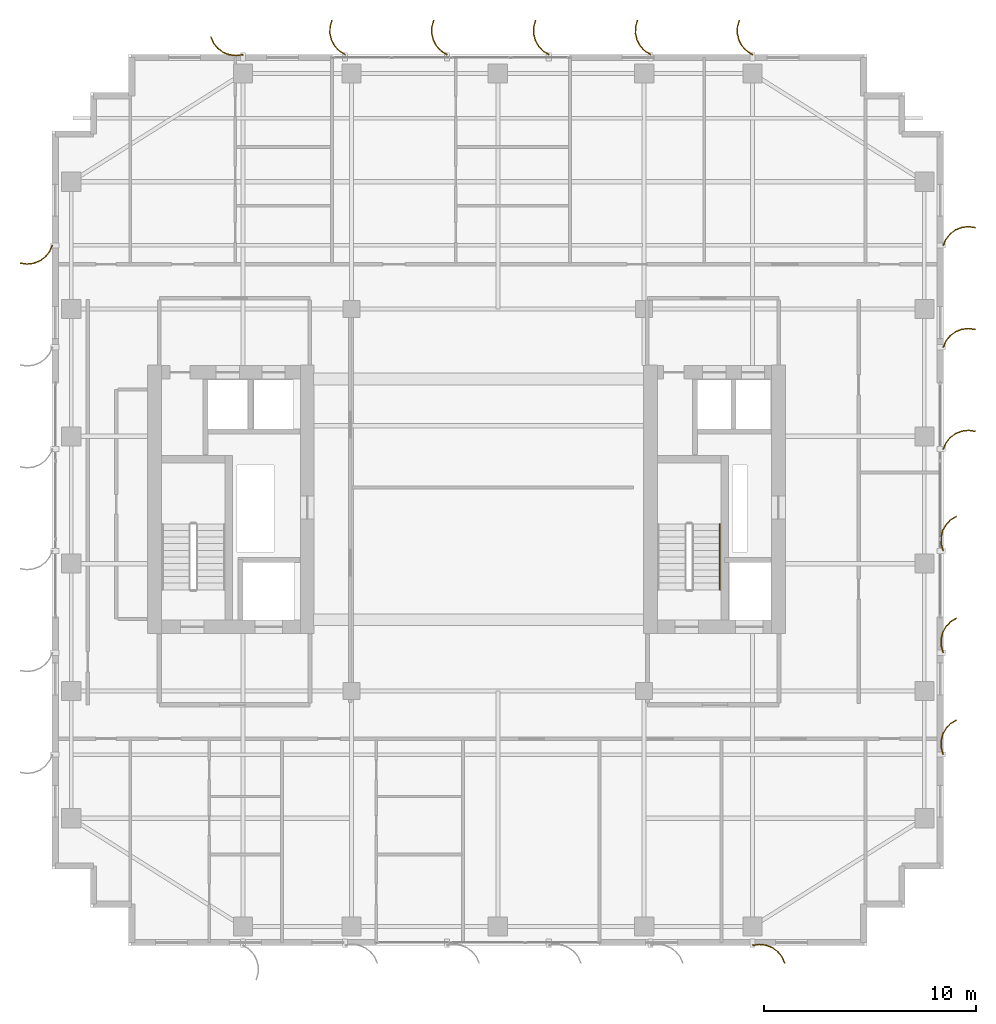
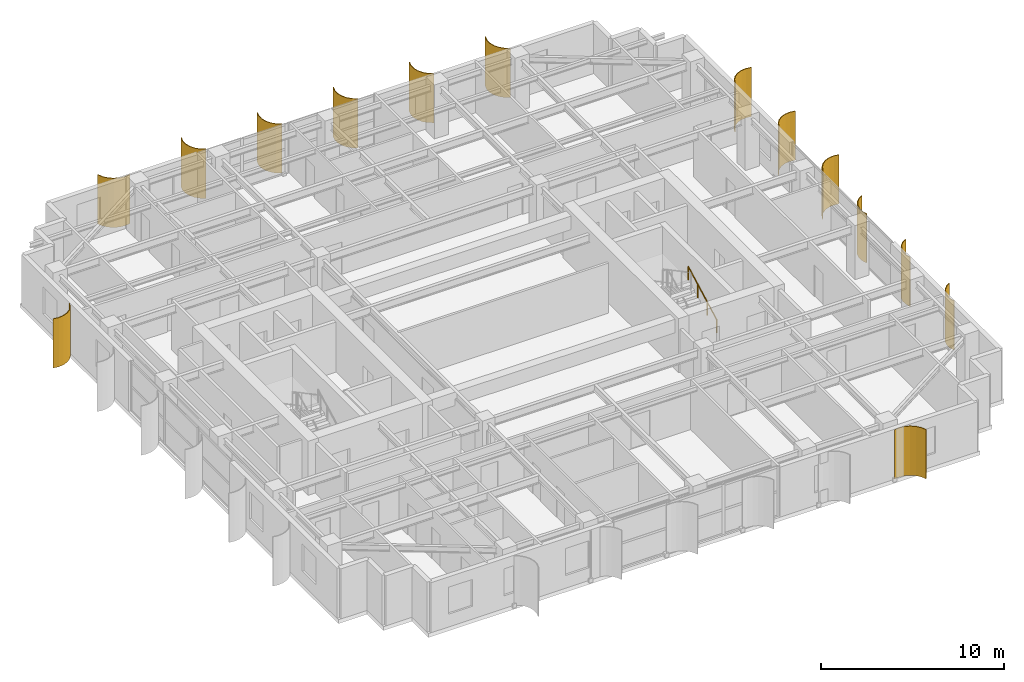
# One storey, part 22 of 22: 14 shading devices, 1 railing.
"""IFC4 building model written with IfcOpenShell, lengths in metres."""

from ifc_helpers import new_model, si_unit, direction, frame, origin, origin_2d, place, context, subcontext, project, spatial, polyline, circle, outline, extrude, source, transform, mapped, material, layer, layer_set, type_object, element, save


model = new_model("IFC4")

# Units and contexts
model_context = context("Model", 3, precision=1e-05, world=origin(), true_north=direction((0.0, 1.0)))
body_context = subcontext(model_context, "Body", "Model", "MODEL_VIEW")
ifc_project = project(units=[si_unit("LENGTHUNIT", "METRE"), si_unit("AREAUNIT", "SQUARE_METRE"), si_unit("VOLUMEUNIT", "CUBIC_METRE"), si_unit("PLANEANGLEUNIT", "RADIAN"), si_unit("MASSUNIT", "GRAM", prefix="KILO")], contexts=[model_context])

# Site, building, storey
site_placement = place(None, origin())
site = spatial("IfcSite", under=ifc_project, at=site_placement, CompositionType="ELEMENT")
building_placement = place(site_placement, origin())
building = spatial("IfcBuilding", under=site, at=building_placement, Name="Khoralis Quay Care Tower", CompositionType="ELEMENT")
storey_placement = place(building_placement, frame((0.0, 0.0, 170.10009765625)))
storey = spatial("IfcBuildingStorey", under=building, at=storey_placement, Name="L44", CompositionType="ELEMENT", Elevation=170.10009765625)

# Railing
ifc_material_1 = material(Name="Brushed stainless steel", Category="steel")
railing_type = type_object("IfcRailingType", Name="RL-HAND-900", PredefinedType="HANDRAIL", material=ifc_material_1)
railing_placement = place(storey_placement, frame((34.469970703125, 16.77001953125, 0.16357421875)))
element("IfcRailing", 1, at=railing_placement, inside=storey, type_object=railing_type, Name="L44 ST-T2 stair handrail 1", PredefinedType="HANDRAIL", context=body_context, shape_type="SweptSolid", body=[
    extrude(circle(Radius=0.02392578125, at=origin_2d()), frame((0.0, 0.0, 0.8759765625), z_axis=(0.0, 0.884376766648, 0.46677375099), x_axis=(-1.0, 0.0, 0.0)), (0.0, 0.0, 1.0), 3.50537109375),
    extrude(circle(Radius=0.02099609375, at=origin_2d()), origin(), (0.0, 0.0, 1.0), 0.851806640625),
    extrude(circle(Radius=0.02099609375, at=origin_2d()), frame((0.0, 1.033447265625, 0.54541015625)), (0.0, 0.0, 1.0), 0.851806640625),
    extrude(circle(Radius=0.02099609375, at=origin_2d()), frame((0.0, 2.066650390625, 1.0908203125)), (0.0, 0.0, 1.0), 0.851806640625),
    extrude(circle(Radius=0.02099609375, at=origin_2d()), frame((0.0, 3.10009765625, 1.63623046875)), (0.0, 0.0, 1.0), 0.851806640625),
])

# Shading devices
ifc_material_2 = material(Name="Brushed pale anodised aluminium", Category="aluminium")
ifc_layer = layer(ifc_material_2, 0.044921875)
ifc_layer_set = layer_set([ifc_layer], Name="Brushed pale anodised aluminium")
shading_device_type = type_object("IfcShadingDeviceType", Name="SHD-FIN-1250", PredefinedType="USERDEFINED", material=ifc_layer_set)
shared_shape_1 = source(origin(), body_context, "Body", "SweptSolid", [
    extrude(outline(polyline([(0.0, 0.0), (0.17041015625, 0.2783203125), (0.4072265625, 0.5029296875), (0.694091796875, 0.658447265625), (1.01123046875, 0.734619140625), (1.33740234375, 0.72607421875), (1.650390625, 0.633544921875), (1.632080078125, 0.59228515625), (1.330322265625, 0.681640625), (1.015869140625, 0.68994140625), (0.710205078125, 0.616455078125), (0.43359375, 0.466552734375), (0.20556640625, 0.25), (0.041015625, -0.018310546875), (0.0, 0.0)])), origin(), (0.0, 0.0, 1.0), 3.27978515625),
])
for number, where, z_axis, x_axis, name in (
    (2, (36.0, 41.969970703125, 0.02001953125), (0.0, 0.0, 1.0), (0.0, 1.0, 0.0), "L44 Curved Solar Fin P1E10-01"),
    (3, (31.199951171875, 41.969970703125, 0.02001953125), (0.0, 0.0, 1.0), (0.0, 1.0, 0.0), "L44 Curved Solar Fin P1E10-02"),
    (4, (26.39990234375, 41.969970703125, 0.02001953125), (0.0, 0.0, 1.0), (0.0, 1.0, 0.0), "L44 Curved Solar Fin P1E10-03"),
    (5, (21.60009765625, 41.969970703125, 0.02001953125), (0.0, 0.0, 1.0), (0.0, 1.0, 0.0), "L44 Curved Solar Fin P1E10-04"),
    (6, (16.800048828125, 41.969970703125, 0.02001953125), (0.0, 0.0, 1.0), (0.0, 1.0, 0.0), "L44 Curved Solar Fin P1E10-05"),
):
    element("IfcShadingDevice", number, at=place(storey_placement, frame(where, z_axis=z_axis, x_axis=x_axis)), inside=storey, type_object=shading_device_type, Name=name, ObjectType="FIN", PredefinedType="USERDEFINED", context=body_context, shape_type="MappedRepresentation", body=[
        mapped(shared_shape_1, transform((0.0, 0.0, 0.0), scale=1.0)),
    ])
shared_shape_2 = source(origin(), body_context, "Body", "SweptSolid", [
    extrude(outline(polyline([(0.0, 0.0), (-0.04833984375, 0.32275390625), (-0.01123046875, 0.64697265625), (0.1083984375, 0.950439453125), (0.302490234375, 1.212890625), (0.557861328125, 1.416015625), (0.85693359375, 1.546142578125), (0.869384765625, 1.5029296875), (0.5810546875, 1.37744140625), (0.334716796875, 1.181640625), (0.147705078125, 0.9287109375), (0.032470703125, 0.635986328125), (-0.003173828125, 0.323486328125), (0.043212890625, 0.012451171875), (0.0, 0.0)])), origin(), (0.0, 0.0, 1.0), 3.27978515625),
])
for number, where, z_axis, x_axis, name in (
    (7, (36.0, 0.030029296875, 0.02001953125), (0.0, 0.0, 1.0), (0.0, -1.0, 0.0), "L44 Curved Solar Fin P1E0-06"),
    (8, (12.0, 41.969970703125, 0.02001953125), (0.0, 0.0, 1.0), (0.0, 1.0, 0.0), "L44 Curved Solar Fin P1E10-06"),
):
    element("IfcShadingDevice", number, at=place(storey_placement, frame(where, z_axis=z_axis, x_axis=x_axis)), inside=storey, type_object=shading_device_type, Name=name, ObjectType="FIN", PredefinedType="USERDEFINED", context=body_context, shape_type="MappedRepresentation", body=[
        mapped(shared_shape_2, transform((0.0, 0.0, 0.0), scale=1.0)),
    ])
shared_shape_3 = source(origin(), body_context, "Body", "SweptSolid", [
    extrude(outline(polyline([(0.0, 0.0), (-0.0927734375, 0.31298828125), (-0.101318359375, 0.63916015625), (-0.025146484375, 0.956298828125), (0.130615234375, 1.2431640625), (0.355224609375, 1.479736328125), (0.633544921875, 1.650390625), (0.65185546875, 1.609130859375), (0.383544921875, 1.44482421875), (0.1669921875, 1.216796875), (0.01708984375, 0.940185546875), (-0.056396484375, 0.63427734375), (-0.04833984375, 0.31982421875), (0.041015625, 0.018310546875), (0.0, 0.0)])), origin(), (0.0, 0.0, 1.0), 3.27978515625),
])
for number, where, z_axis, x_axis, name in (
    (9, (44.969970703125, 9.0, 0.02001953125), (0.0, 0.0, 1.0), (1.0, 0.0, 0.0), "L44 Curved Solar Fin P1E5-01"),
    (10, (44.969970703125, 13.800048828125, 0.02001953125), (0.0, 0.0, 1.0), (1.0, 0.0, 0.0), "L44 Curved Solar Fin P1E5-02"),
    (11, (44.969970703125, 18.60009765625, 0.02001953125), (0.0, 0.0, 1.0), (1.0, 0.0, 0.0), "L44 Curved Solar Fin P1E5-03"),
):
    element("IfcShadingDevice", number, at=place(storey_placement, frame(where, z_axis=z_axis, x_axis=x_axis)), inside=storey, type_object=shading_device_type, Name=name, ObjectType="FIN", PredefinedType="USERDEFINED", context=body_context, shape_type="MappedRepresentation", body=[
        mapped(shared_shape_3, transform((0.0, 0.0, 0.0), scale=1.0)),
    ])
shared_shape_4 = source(origin(), body_context, "Body", "SweptSolid", [
    extrude(outline(polyline([(0.0, 0.0), (0.130126953125, 0.29931640625), (0.333251953125, 0.5546875), (0.595458984375, 0.748779296875), (0.899169921875, 0.868408203125), (1.223388671875, 0.9052734375), (1.546142578125, 0.85693359375), (1.53369140625, 0.813720703125), (1.22265625, 0.8603515625), (0.91015625, 0.82470703125), (0.617431640625, 0.70947265625), (0.364501953125, 0.522216796875), (0.168701171875, 0.276123046875), (0.043212890625, -0.012451171875), (0.0, 0.0)])), origin(), (0.0, 0.0, 1.0), 3.27978515625),
])
for number, where, z_axis, x_axis, name in (
    (12, (44.969970703125, 23.39990234375, 0.02001953125), (0.0, 0.0, 1.0), (1.0, 0.0, 0.0), "L44 Curved Solar Fin P1E5-04"),
    (13, (44.969970703125, 28.199951171875, 0.02001953125), (0.0, 0.0, 1.0), (1.0, 0.0, 0.0), "L44 Curved Solar Fin P1E5-05"),
    (14, (44.969970703125, 33.0, 0.02001953125), (0.0, 0.0, 1.0), (1.0, 0.0, 0.0), "L44 Curved Solar Fin P1E5-06"),
    (15, (3.030029296875, 33.0, 0.02001953125), (0.0, 0.0, 1.0), (-1.0, 0.0, 0.0), "L44 Curved Solar Fin P1E15-01"),
):
    element("IfcShadingDevice", number, at=place(storey_placement, frame(where, z_axis=z_axis, x_axis=x_axis)), inside=storey, type_object=shading_device_type, Name=name, ObjectType="FIN", PredefinedType="USERDEFINED", context=body_context, shape_type="MappedRepresentation", body=[
        mapped(shared_shape_4, transform((0.0, 0.0, 0.0), scale=1.0)),
    ])

save(model, "model.ifc")
